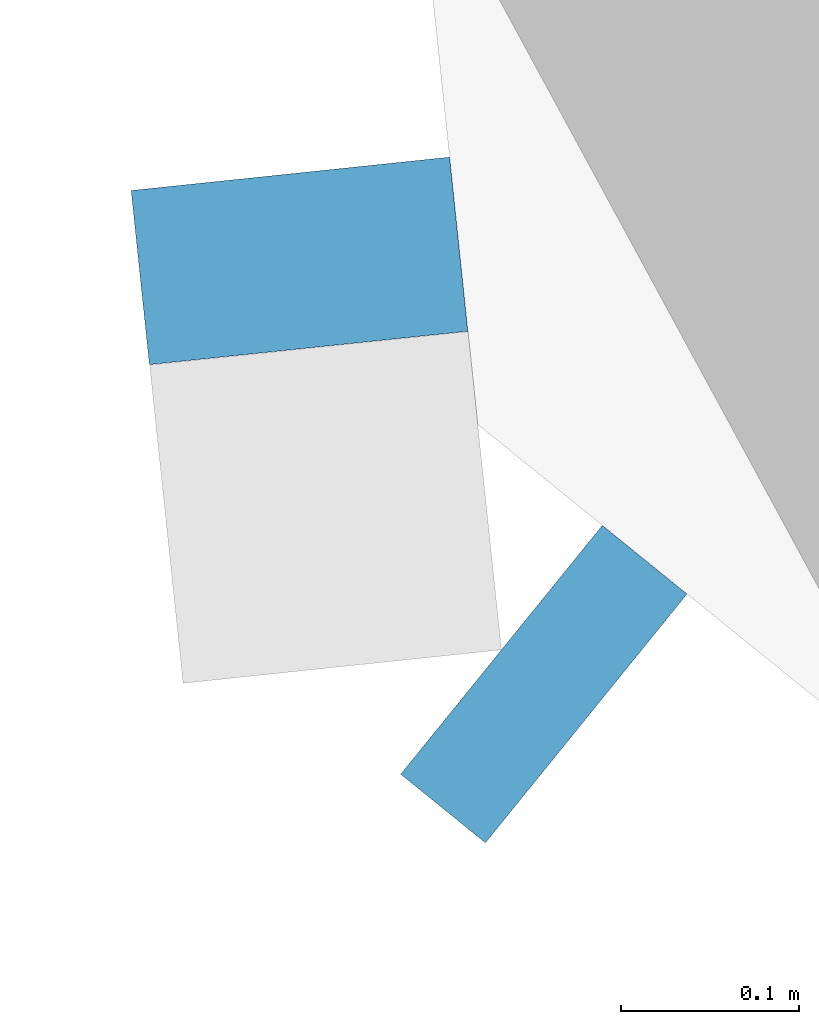
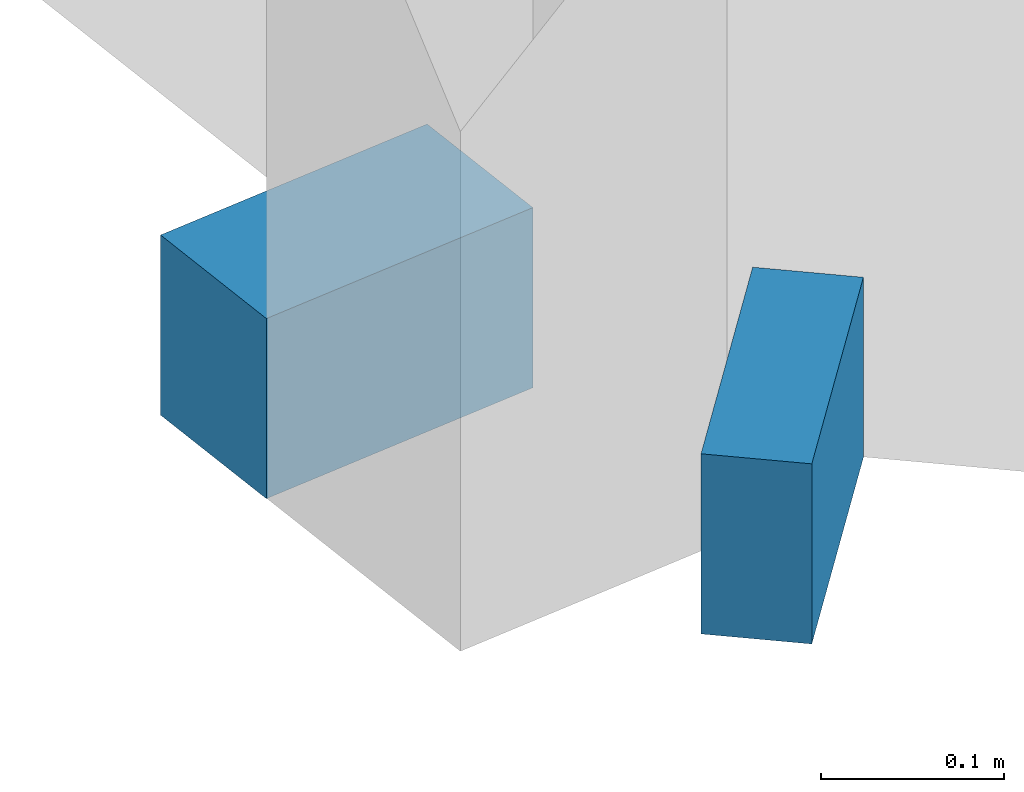
# One storey, part 14 of 26: 2 members, 2 elements without a shape of their own.
"""IFC4 building model written with IfcOpenShell, lengths in metres."""

from ifc_helpers import new_model, si_unit, direction, frame, origin, origin_2d, place, context, subcontext, project, spatial, rectangle, extrude, material, material_profile, profile_set, type_object, element, aggregate, save


model = new_model("IFC4")

# Units and contexts
model_context = context("Model", 3, precision=1e-05, world=origin(), true_north=direction((0.0, 1.0)))
body_context = subcontext(model_context, "Body", "Model", "MODEL_VIEW")
ifc_project = project(units=[si_unit("LENGTHUNIT", "METRE"), si_unit("AREAUNIT", "SQUARE_METRE"), si_unit("VOLUMEUNIT", "CUBIC_METRE"), si_unit("PLANEANGLEUNIT", "RADIAN"), si_unit("MASSUNIT", "GRAM", prefix="KILO")], contexts=[model_context])

# Site, building, storey
site_placement = place(None, origin())
site = spatial("IfcSite", under=ifc_project, at=site_placement, CompositionType="ELEMENT")
building_placement = place(site_placement, origin())
building = spatial("IfcBuilding", under=site, at=building_placement, Name="Orlundy Tower", CompositionType="ELEMENT")
storey_placement = place(building_placement, frame((0.0, 0.0, 214.0)))
storey = spatial("IfcBuildingStorey", under=building, at=storey_placement, Name="L56", CompositionType="ELEMENT", Elevation=214.0)

# Curtain wall, member
ifc_material_1 = material(Name="Aluminium bronze anodised", Category="aluminium")
curtain_wall_type = type_object("IfcCurtainWallType", Name="CW1 wall", PredefinedType="NOTDEFINED", material=ifc_material_1)
curtain_wall_1_placement = place(storey_placement, origin())
curtain_wall_1 = element("IfcCurtainWall", 1, at=curtain_wall_1_placement, inside=storey, type_object=curtain_wall_type, Name="CW1 run 01", PredefinedType="NOTDEFINED")
ifc_material_2 = material(Name="Aluminium bronze anodised", Category="aluminium")
ifc_material_profile = material_profile(ifc_material_2, rectangle(XDim=0.179931640625, YDim=0.1201171875, at=origin_2d()), Name="CW1 transom 180x120")
ifc_profile_set = profile_set([ifc_material_profile], Name="Aluminium bronze anodised")
member_type = type_object("IfcMemberType", Name="CW1 transom 180x120", PredefinedType="USERDEFINED", material=ifc_profile_set)
member_1_placement = place(storey_placement, frame((-28.47607421875, -15.6591796875, -0.340087890625), z_axis=(-0.776966429431, 0.629542030001, 0.0), x_axis=(-0.629542030001, -0.776966429431, 0.0)))
member_1 = element("IfcMember", 2, at=member_1_placement, type_object=member_type, Name="CW1 transom", ObjectType="TRANSOM", PredefinedType="USERDEFINED", context=body_context, shape_type="SweptSolid", body=[
    extrude(rectangle(XDim=0.179931640625, YDim=0.1201171875, at=origin_2d()), origin(), (0.0, 0.0, 1.0), 0.061279296875),
])
aggregate(curtain_wall_1, [member_1])

curtain_wall_2_placement = place(storey_placement, origin())
curtain_wall_2 = element("IfcCurtainWall", 3, at=curtain_wall_2_placement, inside=storey, type_object=curtain_wall_type, Name="CW1 run 02", PredefinedType="NOTDEFINED")
member_2_placement = place(storey_placement, frame((-28.632080078125, -15.450927734375, -0.340087890625), z_axis=(-0.104168345469, 0.994559679357, 0.0), x_axis=(-0.994559679357, -0.104168345469, 0.0)))
member_2 = element("IfcMember", 4, at=member_2_placement, type_object=member_type, Name="CW1 transom", ObjectType="TRANSOM", PredefinedType="USERDEFINED", context=body_context, shape_type="SweptSolid", body=[
    extrude(rectangle(XDim=0.179931640625, YDim=0.1201171875, at=origin_2d()), origin(), (0.0, 0.0, 1.0), 0.098388671875),
])
aggregate(curtain_wall_2, [member_2])

save(model, "model.ifc")
